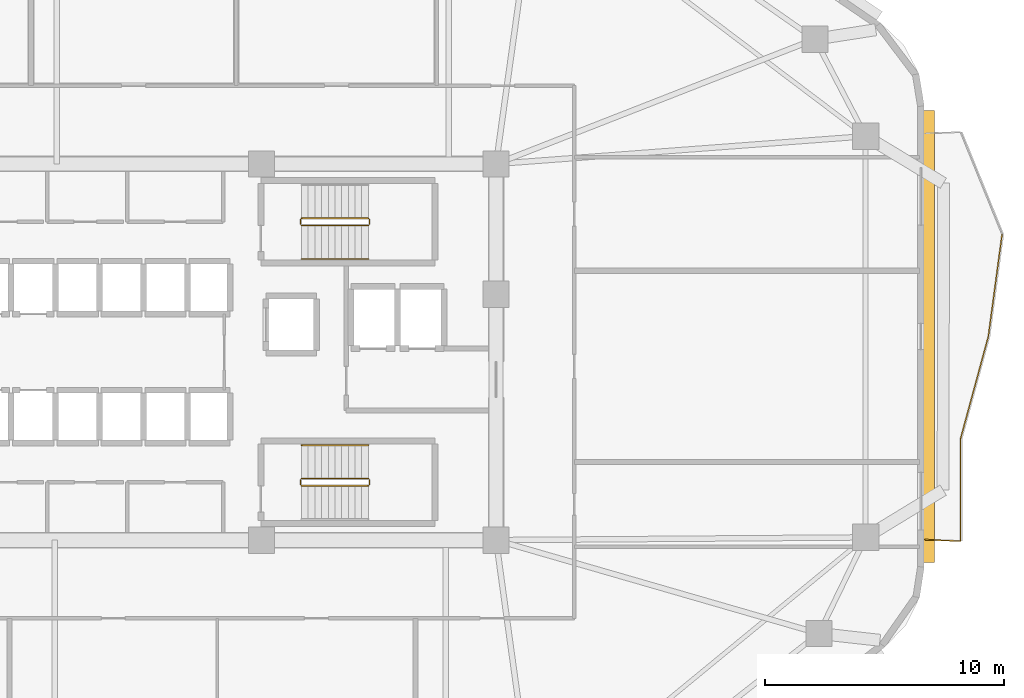
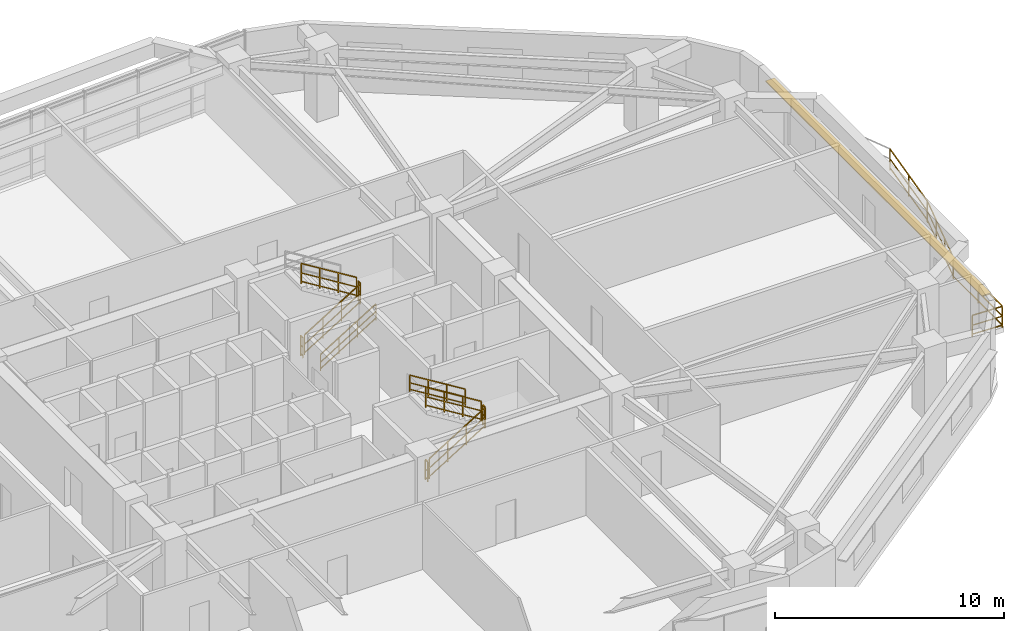
# One storey, part 12 of 13: 14 railings, 1 shading device.
"""IFC4 building model written with IfcOpenShell, lengths in metres."""

from ifc_helpers import new_model, si_unit, direction, frame, origin, origin_2d, place, context, subcontext, project, spatial, rectangle, extrude, material, layer, layer_set, type_object, element, save


model = new_model("IFC4")

# Units and contexts
model_context = context("Model", 3, precision=1e-05, world=origin(), true_north=direction((0.0, 1.0)))
body_context = subcontext(model_context, "Body", "Model", "MODEL_VIEW")
ifc_project = project(units=[si_unit("LENGTHUNIT", "METRE"), si_unit("AREAUNIT", "SQUARE_METRE"), si_unit("VOLUMEUNIT", "CUBIC_METRE"), si_unit("PLANEANGLEUNIT", "RADIAN"), si_unit("MASSUNIT", "GRAM", prefix="KILO")], contexts=[model_context])

# Site, building, storey
site_placement = place(None, origin())
site = spatial("IfcSite", under=ifc_project, at=site_placement, CompositionType="ELEMENT")
building_placement = place(site_placement, origin())
building = spatial("IfcBuilding", under=site, at=building_placement, Name="Zulverin Broadcast Headquarters", CompositionType="ELEMENT")
storey_placement = place(building_placement, frame((0.0, 0.0, 101.0)))
storey = spatial("IfcBuildingStorey", under=building, at=storey_placement, Name="L25", CompositionType="ELEMENT", Elevation=101.0)

# Railings
ifc_material_1 = material(Name="Brushed stainless steel & laminated glass balustrade", Category="steel")
railing_type_1 = type_object("IfcRailingType", Name="RL-GUARD-1150", PredefinedType="GUARDRAIL", material=ifc_material_1)
railing_1_placement = place(storey_placement, frame((66.239990234375, 17.343505859375, 0.0)))
element("IfcRailing", 1, at=railing_1_placement, inside=storey, type_object=railing_type_1, Name="L25 Vertical-Forest Balcony Guardrail BAL_E Segment 01", PredefinedType="GUARDRAIL", context=body_context, shape_type="SweptSolid", body=[
    extrude(rectangle(XDim=0.048095703125, YDim=0.048095703125, at=origin_2d()), frame((0.0, 0.0, 1.1259765625), z_axis=(0.999174410196, -0.040626321628, 0.0), x_axis=(0.040626321628, 0.999174410196, 0.0)), (0.0, 0.0, 1.0), 1.46630859375),
    extrude(rectangle(XDim=0.0419921875, YDim=0.0419921875, at=origin_2d()), frame((0.0, 0.0, 0.597900390625), z_axis=(0.999174410196, -0.040626321628, 0.0), x_axis=(0.040626321628, 0.999174410196, 0.0)), (0.0, 0.0, 1.0), 1.46630859375),
    extrude(rectangle(XDim=0.0419921875, YDim=0.0419921875, at=origin_2d()), frame((0.0, 0.0, 0.1201171875), z_axis=(0.999174410196, -0.040626321628, 0.0), x_axis=(0.040626321628, 0.999174410196, 0.0)), (0.0, 0.0, 1.0), 1.46630859375),
    extrude(rectangle(XDim=0.0419921875, YDim=0.0419921875, at=origin_2d()), origin(), (0.0, 0.0, 1.0), 1.101806640625),
    extrude(rectangle(XDim=0.0419921875, YDim=0.0419921875, at=origin_2d()), frame((1.465087890625, -0.0595703125, 0.0)), (0.0, 0.0, 1.0), 1.101806640625),
])
railing_2_placement = place(storey_placement, frame((67.719970703125, 17.29833984375, 0.0)))
element("IfcRailing", 2, at=railing_2_placement, inside=storey, type_object=railing_type_1, Name="L25 Vertical-Forest Balcony Guardrail BAL_E Segment 02", PredefinedType="GUARDRAIL", context=body_context, shape_type="SweptSolid", body=[
    extrude(rectangle(XDim=0.048095703125, YDim=0.048095703125, at=origin_2d()), frame((0.0, 0.0, 1.1259765625), z_axis=(0.0, 1.0, 0.0), x_axis=(-1.0, 0.0, 0.0)), (0.0, 0.0, 1.0), 4.2529296875),
    extrude(rectangle(XDim=0.0419921875, YDim=0.0419921875, at=origin_2d()), frame((0.0, 0.0, 0.597900390625), z_axis=(0.0, 1.0, 0.0), x_axis=(-1.0, 0.0, 0.0)), (0.0, 0.0, 1.0), 4.2529296875),
    extrude(rectangle(XDim=0.0419921875, YDim=0.0419921875, at=origin_2d()), frame((0.0, 0.0, 0.1201171875), z_axis=(0.0, 1.0, 0.0), x_axis=(-1.0, 0.0, 0.0)), (0.0, 0.0, 1.0), 4.2529296875),
    extrude(rectangle(XDim=0.0419921875, YDim=0.0419921875, at=origin_2d()), origin(), (0.0, 0.0, 1.0), 1.101806640625),
    extrude(rectangle(XDim=0.0419921875, YDim=0.0419921875, at=origin_2d()), frame((0.0, 2.12646484375, 0.0)), (0.0, 0.0, 1.0), 1.101806640625),
    extrude(rectangle(XDim=0.0419921875, YDim=0.0419921875, at=origin_2d()), frame((0.0, 4.2529296875, 0.0)), (0.0, 0.0, 1.0), 1.101806640625),
])
railing_3_placement = place(storey_placement, frame((67.723876953125, 21.580810546875, 0.0)))
element("IfcRailing", 3, at=railing_3_placement, inside=storey, type_object=railing_type_1, Name="L25 Vertical-Forest Balcony Guardrail BAL_E Segment 03", PredefinedType="GUARDRAIL", context=body_context, shape_type="SweptSolid", body=[
    extrude(rectangle(XDim=0.048095703125, YDim=0.048095703125, at=origin_2d()), frame((0.0, 0.0, 1.1259765625), z_axis=(0.262358125578, 0.964970576724, 0.0), x_axis=(-0.964970576724, 0.262358125578, 0.0)), (0.0, 0.0, 1.0), 4.407958984375),
    extrude(rectangle(XDim=0.0419921875, YDim=0.0419921875, at=origin_2d()), frame((0.0, 0.0, 0.597900390625), z_axis=(0.262358125578, 0.964970576724, 0.0), x_axis=(-0.964970576724, 0.262358125578, 0.0)), (0.0, 0.0, 1.0), 4.407958984375),
    extrude(rectangle(XDim=0.0419921875, YDim=0.0419921875, at=origin_2d()), frame((0.0, 0.0, 0.1201171875), z_axis=(0.262358125578, 0.964970576724, 0.0), x_axis=(-0.964970576724, 0.262358125578, 0.0)), (0.0, 0.0, 1.0), 4.407958984375),
    extrude(rectangle(XDim=0.0419921875, YDim=0.0419921875, at=origin_2d()), origin(), (0.0, 0.0, 1.0), 1.101806640625),
    extrude(rectangle(XDim=0.0419921875, YDim=0.0419921875, at=origin_2d()), frame((0.385498046875, 1.41796875, 0.0)), (0.0, 0.0, 1.0), 1.101806640625),
    extrude(rectangle(XDim=0.0419921875, YDim=0.0419921875, at=origin_2d()), frame((0.77099609375, 2.835693359375, 0.0)), (0.0, 0.0, 1.0), 1.101806640625),
    extrude(rectangle(XDim=0.0419921875, YDim=0.0419921875, at=origin_2d()), frame((1.156494140625, 4.253662109375, 0.0)), (0.0, 0.0, 1.0), 1.101806640625),
])
railing_4_placement = place(storey_placement, frame((68.88623046875, 25.86376953125, 0.0)))
element("IfcRailing", 4, at=railing_4_placement, inside=storey, type_object=railing_type_1, Name="L25 Vertical-Forest Balcony Guardrail BAL_E Segment 04", PredefinedType="GUARDRAIL", context=body_context, shape_type="SweptSolid", body=[
    extrude(rectangle(XDim=0.048095703125, YDim=0.048095703125, at=origin_2d()), frame((0.0, 0.0, 1.1259765625), z_axis=(0.133300250584, 0.991075700032, 0.0), x_axis=(-0.991075700032, 0.133300250584, 0.0)), (0.0, 0.0, 1.0), 4.291259765625),
    extrude(rectangle(XDim=0.0419921875, YDim=0.0419921875, at=origin_2d()), frame((0.0, 0.0, 0.597900390625), z_axis=(0.133300250584, 0.991075700032, 0.0), x_axis=(-0.991075700032, 0.133300250584, 0.0)), (0.0, 0.0, 1.0), 4.291259765625),
    extrude(rectangle(XDim=0.0419921875, YDim=0.0419921875, at=origin_2d()), frame((0.0, 0.0, 0.1201171875), z_axis=(0.133300250584, 0.991075700032, 0.0), x_axis=(-0.991075700032, 0.133300250584, 0.0)), (0.0, 0.0, 1.0), 4.291259765625),
    extrude(rectangle(XDim=0.0419921875, YDim=0.0419921875, at=origin_2d()), origin(), (0.0, 0.0, 1.0), 1.101806640625),
    extrude(rectangle(XDim=0.0419921875, YDim=0.0419921875, at=origin_2d()), frame((0.2861328125, 2.12646484375, 0.0)), (0.0, 0.0, 1.0), 1.101806640625),
    extrude(rectangle(XDim=0.0419921875, YDim=0.0419921875, at=origin_2d()), frame((0.572021484375, 4.2529296875, 0.0)), (0.0, 0.0, 1.0), 1.101806640625),
])
ifc_material_2 = material(Name="Painted galvanized steel tubular guardrail S355JR", Category="steel")
railing_type_2 = type_object("IfcRailingType", Name="RL-ST-GUARD", PredefinedType="GUARDRAIL", material=ifc_material_2)
railing_5_placement = place(storey_placement, frame((40.1298828125, 30.5, 0.172607421875)))
element("IfcRailing", 5, at=railing_5_placement, inside=storey, type_object=railing_type_2, Name="L25 ST-1 stair guard 1", PredefinedType="GUARDRAIL", context=body_context, shape_type="SweptSolid", body=[
    extrude(rectangle(XDim=0.048095703125, YDim=0.048095703125, at=origin_2d()), frame((0.0, 0.0, 1.076171875), z_axis=(0.851089632645, 0.0, 0.525020415988), x_axis=(0.0, 1.0, 0.0)), (0.0, 0.0, 1.0), 3.2900390625),
    extrude(rectangle(XDim=0.0419921875, YDim=0.0419921875, at=origin_2d()), frame((0.0, 0.0, 0.572021484375), z_axis=(0.851089632645, 0.0, 0.525020415988), x_axis=(0.0, 1.0, 0.0)), (0.0, 0.0, 1.0), 3.2900390625),
    extrude(rectangle(XDim=0.0419921875, YDim=0.0419921875, at=origin_2d()), frame((0.0, 0.0, 0.1201171875), z_axis=(0.851089632645, 0.0, 0.525020415988), x_axis=(0.0, 1.0, 0.0)), (0.0, 0.0, 1.0), 3.2900390625),
    extrude(rectangle(XDim=0.0419921875, YDim=0.0419921875, at=origin_2d()), origin(), (0.0, 0.0, 1.0), 1.052001953125),
    extrude(rectangle(XDim=0.0419921875, YDim=0.0419921875, at=origin_2d()), frame((0.933349609375, 0.0, 0.57568359375)), (0.0, 0.0, 1.0), 1.052001953125),
    extrude(rectangle(XDim=0.0419921875, YDim=0.0419921875, at=origin_2d()), frame((1.86669921875, 0.0, 1.151611328125)), (0.0, 0.0, 1.0), 1.052001953125),
    extrude(rectangle(XDim=0.0419921875, YDim=0.0419921875, at=origin_2d()), frame((2.800048828125, 0.0, 1.727294921875)), (0.0, 0.0, 1.0), 1.052001953125),
])
railing_6_placement = place(storey_placement, frame((42.97998046875, 30.550048828125, 1.89990234375)))
element("IfcRailing", 6, at=railing_6_placement, inside=storey, type_object=railing_type_2, Name="L25 ST-1 stair guard 2", PredefinedType="GUARDRAIL", context=body_context, shape_type="SweptSolid", body=[
    extrude(rectangle(XDim=0.048095703125, YDim=0.048095703125, at=origin_2d()), frame((0.0, 0.0, 1.076171875), z_axis=(0.0, 1.0, 0.0), x_axis=(-1.0, 0.0, 0.0)), (0.0, 0.0, 1.0), 0.199951171875),
    extrude(rectangle(XDim=0.0419921875, YDim=0.0419921875, at=origin_2d()), frame((0.0, 0.0, 0.572021484375), z_axis=(0.0, 1.0, 0.0), x_axis=(-1.0, 0.0, 0.0)), (0.0, 0.0, 1.0), 0.199951171875),
    extrude(rectangle(XDim=0.0419921875, YDim=0.0419921875, at=origin_2d()), frame((0.0, 0.0, 0.1201171875), z_axis=(0.0, 1.0, 0.0), x_axis=(-1.0, 0.0, 0.0)), (0.0, 0.0, 1.0), 0.199951171875),
    extrude(rectangle(XDim=0.0419921875, YDim=0.0419921875, at=origin_2d()), origin(), (0.0, 0.0, 1.0), 1.052001953125),
    extrude(rectangle(XDim=0.0419921875, YDim=0.0419921875, at=origin_2d()), frame((0.0, 0.199951171875, 0.0)), (0.0, 0.0, 1.0), 1.052001953125),
])
railing_7_placement = place(storey_placement, frame((42.929931640625, 30.800048828125, 2.07275390625)))
element("IfcRailing", 7, at=railing_7_placement, inside=storey, type_object=railing_type_2, Name="L25 ST-1 stair guard 3", PredefinedType="GUARDRAIL", context=body_context, shape_type="SweptSolid", body=[
    extrude(rectangle(XDim=0.048095703125, YDim=0.048095703125, at=origin_2d()), frame((0.0, 0.0, 1.076171875), z_axis=(-0.851089632645, 0.0, 0.525020415988), x_axis=(0.0, -1.0, 0.0)), (0.0, 0.0, 1.0), 3.2900390625),
    extrude(rectangle(XDim=0.0419921875, YDim=0.0419921875, at=origin_2d()), frame((0.0, 0.0, 0.572021484375), z_axis=(-0.851089632645, 0.0, 0.525020415988), x_axis=(0.0, -1.0, 0.0)), (0.0, 0.0, 1.0), 3.2900390625),
    extrude(rectangle(XDim=0.0419921875, YDim=0.0419921875, at=origin_2d()), frame((0.0, 0.0, 0.1201171875), z_axis=(-0.851089632645, 0.0, 0.525020415988), x_axis=(0.0, -1.0, 0.0)), (0.0, 0.0, 1.0), 3.2900390625),
    extrude(rectangle(XDim=0.0419921875, YDim=0.0419921875, at=origin_2d()), origin(), (0.0, 0.0, 1.0), 1.052001953125),
    extrude(rectangle(XDim=0.0419921875, YDim=0.0419921875, at=origin_2d()), frame((-0.933349609375, 0.0, 0.57568359375)), (0.0, 0.0, 1.0), 1.052001953125),
    extrude(rectangle(XDim=0.0419921875, YDim=0.0419921875, at=origin_2d()), frame((-1.86669921875, 0.0, 1.151611328125)), (0.0, 0.0, 1.0), 1.052001953125),
    extrude(rectangle(XDim=0.0419921875, YDim=0.0419921875, at=origin_2d()), frame((-2.800048828125, 0.0, 1.727294921875)), (0.0, 0.0, 1.0), 1.052001953125),
])
railing_8_placement = place(storey_placement, frame((40.080078125, 30.550048828125, 0.0)))
element("IfcRailing", 8, at=railing_8_placement, inside=storey, type_object=railing_type_2, Name="L25 ST-1 stair guard 4", PredefinedType="GUARDRAIL", context=body_context, shape_type="SweptSolid", body=[
    extrude(rectangle(XDim=0.048095703125, YDim=0.048095703125, at=origin_2d()), frame((0.0, 0.0, 1.076171875), z_axis=(0.0, 1.0, 0.0), x_axis=(-1.0, 0.0, 0.0)), (0.0, 0.0, 1.0), 0.199951171875),
    extrude(rectangle(XDim=0.0419921875, YDim=0.0419921875, at=origin_2d()), frame((0.0, 0.0, 0.572021484375), z_axis=(0.0, 1.0, 0.0), x_axis=(-1.0, 0.0, 0.0)), (0.0, 0.0, 1.0), 0.199951171875),
    extrude(rectangle(XDim=0.0419921875, YDim=0.0419921875, at=origin_2d()), frame((0.0, 0.0, 0.1201171875), z_axis=(0.0, 1.0, 0.0), x_axis=(-1.0, 0.0, 0.0)), (0.0, 0.0, 1.0), 0.199951171875),
    extrude(rectangle(XDim=0.0419921875, YDim=0.0419921875, at=origin_2d()), origin(), (0.0, 0.0, 1.0), 1.052001953125),
    extrude(rectangle(XDim=0.0419921875, YDim=0.0419921875, at=origin_2d()), frame((0.0, 0.199951171875, 0.0)), (0.0, 0.0, 1.0), 1.052001953125),
])
railing_9_placement = place(storey_placement, frame((40.1298828125, 19.60009765625, 0.172607421875)))
element("IfcRailing", 9, at=railing_9_placement, inside=storey, type_object=railing_type_2, Name="L25 ST-2 stair guard 1", PredefinedType="GUARDRAIL", context=body_context, shape_type="SweptSolid", body=[
    extrude(rectangle(XDim=0.048095703125, YDim=0.048095703125, at=origin_2d()), frame((0.0, 0.0, 1.076171875), z_axis=(0.851089632645, 0.0, 0.525020415988), x_axis=(0.0, 1.0, 0.0)), (0.0, 0.0, 1.0), 3.2900390625),
    extrude(rectangle(XDim=0.0419921875, YDim=0.0419921875, at=origin_2d()), frame((0.0, 0.0, 0.572021484375), z_axis=(0.851089632645, 0.0, 0.525020415988), x_axis=(0.0, 1.0, 0.0)), (0.0, 0.0, 1.0), 3.2900390625),
    extrude(rectangle(XDim=0.0419921875, YDim=0.0419921875, at=origin_2d()), frame((0.0, 0.0, 0.1201171875), z_axis=(0.851089632645, 0.0, 0.525020415988), x_axis=(0.0, 1.0, 0.0)), (0.0, 0.0, 1.0), 3.2900390625),
    extrude(rectangle(XDim=0.0419921875, YDim=0.0419921875, at=origin_2d()), origin(), (0.0, 0.0, 1.0), 1.052001953125),
    extrude(rectangle(XDim=0.0419921875, YDim=0.0419921875, at=origin_2d()), frame((0.933349609375, 0.0, 0.57568359375)), (0.0, 0.0, 1.0), 1.052001953125),
    extrude(rectangle(XDim=0.0419921875, YDim=0.0419921875, at=origin_2d()), frame((1.86669921875, 0.0, 1.151611328125)), (0.0, 0.0, 1.0), 1.052001953125),
    extrude(rectangle(XDim=0.0419921875, YDim=0.0419921875, at=origin_2d()), frame((2.800048828125, 0.0, 1.727294921875)), (0.0, 0.0, 1.0), 1.052001953125),
])
railing_10_placement = place(storey_placement, frame((42.97998046875, 19.64990234375, 1.89990234375)))
element("IfcRailing", 10, at=railing_10_placement, inside=storey, type_object=railing_type_2, Name="L25 ST-2 stair guard 2", PredefinedType="GUARDRAIL", context=body_context, shape_type="SweptSolid", body=[
    extrude(rectangle(XDim=0.048095703125, YDim=0.048095703125, at=origin_2d()), frame((0.0, 0.0, 1.076171875), z_axis=(0.0, 1.0, 0.0), x_axis=(-1.0, 0.0, 0.0)), (0.0, 0.0, 1.0), 0.2001953125),
    extrude(rectangle(XDim=0.0419921875, YDim=0.0419921875, at=origin_2d()), frame((0.0, 0.0, 0.572021484375), z_axis=(0.0, 1.0, 0.0), x_axis=(-1.0, 0.0, 0.0)), (0.0, 0.0, 1.0), 0.2001953125),
    extrude(rectangle(XDim=0.0419921875, YDim=0.0419921875, at=origin_2d()), frame((0.0, 0.0, 0.1201171875), z_axis=(0.0, 1.0, 0.0), x_axis=(-1.0, 0.0, 0.0)), (0.0, 0.0, 1.0), 0.2001953125),
    extrude(rectangle(XDim=0.0419921875, YDim=0.0419921875, at=origin_2d()), origin(), (0.0, 0.0, 1.0), 1.052001953125),
    extrude(rectangle(XDim=0.0419921875, YDim=0.0419921875, at=origin_2d()), frame((0.0, 0.2001953125, 0.0)), (0.0, 0.0, 1.0), 1.052001953125),
])
railing_11_placement = place(storey_placement, frame((42.929931640625, 19.89990234375, 2.07275390625)))
element("IfcRailing", 11, at=railing_11_placement, inside=storey, type_object=railing_type_2, Name="L25 ST-2 stair guard 3", PredefinedType="GUARDRAIL", context=body_context, shape_type="SweptSolid", body=[
    extrude(rectangle(XDim=0.048095703125, YDim=0.048095703125, at=origin_2d()), frame((0.0, 0.0, 1.076171875), z_axis=(-0.851089632645, 0.0, 0.525020415988), x_axis=(0.0, -1.0, 0.0)), (0.0, 0.0, 1.0), 3.2900390625),
    extrude(rectangle(XDim=0.0419921875, YDim=0.0419921875, at=origin_2d()), frame((0.0, 0.0, 0.572021484375), z_axis=(-0.851089632645, 0.0, 0.525020415988), x_axis=(0.0, -1.0, 0.0)), (0.0, 0.0, 1.0), 3.2900390625),
    extrude(rectangle(XDim=0.0419921875, YDim=0.0419921875, at=origin_2d()), frame((0.0, 0.0, 0.1201171875), z_axis=(-0.851089632645, 0.0, 0.525020415988), x_axis=(0.0, -1.0, 0.0)), (0.0, 0.0, 1.0), 3.2900390625),
    extrude(rectangle(XDim=0.0419921875, YDim=0.0419921875, at=origin_2d()), origin(), (0.0, 0.0, 1.0), 1.052001953125),
    extrude(rectangle(XDim=0.0419921875, YDim=0.0419921875, at=origin_2d()), frame((-0.933349609375, 0.0, 0.57568359375)), (0.0, 0.0, 1.0), 1.052001953125),
    extrude(rectangle(XDim=0.0419921875, YDim=0.0419921875, at=origin_2d()), frame((-1.86669921875, 0.0, 1.151611328125)), (0.0, 0.0, 1.0), 1.052001953125),
    extrude(rectangle(XDim=0.0419921875, YDim=0.0419921875, at=origin_2d()), frame((-2.800048828125, 0.0, 1.727294921875)), (0.0, 0.0, 1.0), 1.052001953125),
])
railing_12_placement = place(storey_placement, frame((40.080078125, 19.64990234375, 0.0)))
element("IfcRailing", 12, at=railing_12_placement, inside=storey, type_object=railing_type_2, Name="L25 ST-2 stair guard 4", PredefinedType="GUARDRAIL", context=body_context, shape_type="SweptSolid", body=[
    extrude(rectangle(XDim=0.048095703125, YDim=0.048095703125, at=origin_2d()), frame((0.0, 0.0, 1.076171875), z_axis=(0.0, 1.0, 0.0), x_axis=(-1.0, 0.0, 0.0)), (0.0, 0.0, 1.0), 0.2001953125),
    extrude(rectangle(XDim=0.0419921875, YDim=0.0419921875, at=origin_2d()), frame((0.0, 0.0, 0.572021484375), z_axis=(0.0, 1.0, 0.0), x_axis=(-1.0, 0.0, 0.0)), (0.0, 0.0, 1.0), 0.2001953125),
    extrude(rectangle(XDim=0.0419921875, YDim=0.0419921875, at=origin_2d()), frame((0.0, 0.0, 0.1201171875), z_axis=(0.0, 1.0, 0.0), x_axis=(-1.0, 0.0, 0.0)), (0.0, 0.0, 1.0), 0.2001953125),
    extrude(rectangle(XDim=0.0419921875, YDim=0.0419921875, at=origin_2d()), origin(), (0.0, 0.0, 1.0), 1.052001953125),
    extrude(rectangle(XDim=0.0419921875, YDim=0.0419921875, at=origin_2d()), frame((0.0, 0.2001953125, 0.0)), (0.0, 0.0, 1.0), 1.052001953125),
])
ifc_material_3 = material(Name="Brushed stainless steel 48 mm handrail", Category="steel")
railing_type_3 = type_object("IfcRailingType", Name="RL-ST-HAND", PredefinedType="HANDRAIL", material=ifc_material_3)
railing_13_placement = place(storey_placement, frame((40.1298828125, 29.10009765625, 0.172607421875)))
element("IfcRailing", 13, at=railing_13_placement, inside=storey, type_object=railing_type_3, Name="L25 ST-1 stair handrail 1", PredefinedType="HANDRAIL", context=body_context, shape_type="SweptSolid", body=[
    extrude(rectangle(XDim=0.048095703125, YDim=0.048095703125, at=origin_2d()), frame((0.0, 0.0, 0.8759765625), z_axis=(0.851089632645, 0.0, 0.525020415988), x_axis=(0.0, 1.0, 0.0)), (0.0, 0.0, 1.0), 3.2900390625),
    extrude(rectangle(XDim=0.0419921875, YDim=0.0419921875, at=origin_2d()), frame((0.0, 0.0, 0.468017578125), z_axis=(0.851089632645, 0.0, 0.525020415988), x_axis=(0.0, 1.0, 0.0)), (0.0, 0.0, 1.0), 3.2900390625),
    extrude(rectangle(XDim=0.0419921875, YDim=0.0419921875, at=origin_2d()), frame((0.0, 0.0, 0.1201171875), z_axis=(0.851089632645, 0.0, 0.525020415988), x_axis=(0.0, 1.0, 0.0)), (0.0, 0.0, 1.0), 3.2900390625),
    extrude(rectangle(XDim=0.0419921875, YDim=0.0419921875, at=origin_2d()), origin(), (0.0, 0.0, 1.0), 0.851806640625),
    extrude(rectangle(XDim=0.0419921875, YDim=0.0419921875, at=origin_2d()), frame((0.933349609375, 0.0, 0.57568359375)), (0.0, 0.0, 1.0), 0.851806640625),
    extrude(rectangle(XDim=0.0419921875, YDim=0.0419921875, at=origin_2d()), frame((1.86669921875, 0.0, 1.151611328125)), (0.0, 0.0, 1.0), 0.851806640625),
    extrude(rectangle(XDim=0.0419921875, YDim=0.0419921875, at=origin_2d()), frame((2.800048828125, 0.0, 1.727294921875)), (0.0, 0.0, 1.0), 0.851806640625),
])
railing_14_placement = place(storey_placement, frame((42.929931640625, 21.300048828125, 2.07275390625)))
element("IfcRailing", 14, at=railing_14_placement, inside=storey, type_object=railing_type_3, Name="L25 ST-2 stair handrail 2", PredefinedType="HANDRAIL", context=body_context, shape_type="SweptSolid", body=[
    extrude(rectangle(XDim=0.048095703125, YDim=0.048095703125, at=origin_2d()), frame((0.0, 0.0, 0.8759765625), z_axis=(-0.851089632645, 0.0, 0.525020415988), x_axis=(0.0, -1.0, 0.0)), (0.0, 0.0, 1.0), 3.2900390625),
    extrude(rectangle(XDim=0.0419921875, YDim=0.0419921875, at=origin_2d()), frame((0.0, 0.0, 0.468017578125), z_axis=(-0.851089632645, 0.0, 0.525020415988), x_axis=(0.0, -1.0, 0.0)), (0.0, 0.0, 1.0), 3.2900390625),
    extrude(rectangle(XDim=0.0419921875, YDim=0.0419921875, at=origin_2d()), frame((0.0, 0.0, 0.1201171875), z_axis=(-0.851089632645, 0.0, 0.525020415988), x_axis=(0.0, -1.0, 0.0)), (0.0, 0.0, 1.0), 3.2900390625),
    extrude(rectangle(XDim=0.0419921875, YDim=0.0419921875, at=origin_2d()), origin(), (0.0, 0.0, 1.0), 0.851806640625),
    extrude(rectangle(XDim=0.0419921875, YDim=0.0419921875, at=origin_2d()), frame((-0.933349609375, 0.0, 0.57568359375)), (0.0, 0.0, 1.0), 0.851806640625),
    extrude(rectangle(XDim=0.0419921875, YDim=0.0419921875, at=origin_2d()), frame((-1.86669921875, 0.0, 1.151611328125)), (0.0, 0.0, 1.0), 0.851806640625),
    extrude(rectangle(XDim=0.0419921875, YDim=0.0419921875, at=origin_2d()), frame((-2.800048828125, 0.0, 1.727294921875)), (0.0, 0.0, 1.0), 0.851806640625),
])

# Shading device
ifc_material_4 = material(Name="Anodized pale-metal aluminium sunshade", Category="aluminium")
ifc_layer = layer(ifc_material_4, 0.06005859375, Name="Anodized pale-metal aluminium sunshade", Category="aluminium")
ifc_layer_set = layer_set([ifc_layer], Name="Anodized pale-metal aluminium sunshade")
shading_device_type = type_object("IfcShadingDeviceType", Name="SS-01_PALE_METAL_ALUMINIUM_SUNSHADE", PredefinedType="USERDEFINED", material=ifc_layer_set)
shading_device_placement = place(storey_placement, frame((66.39990234375, 25.848876953125, 2.7099609375), z_axis=(0.0, 0.0, 1.0), x_axis=(0.0, 1.0, 0.0)))
element("IfcShadingDevice", 15, at=shading_device_placement, inside=storey, type_object=shading_device_type, Name="L25 Horizontal Pale-Metal Sunshade Band 3", ObjectType="SUNSHADE", PredefinedType="USERDEFINED", context=body_context, shape_type="SweptSolid", body=[
    extrude(rectangle(XDim=18.93115234375, YDim=0.449951171875, at=origin_2d()), origin(), (0.0, 0.0, 1.0), 0.06005859375),
])

save(model, "model.ifc")
